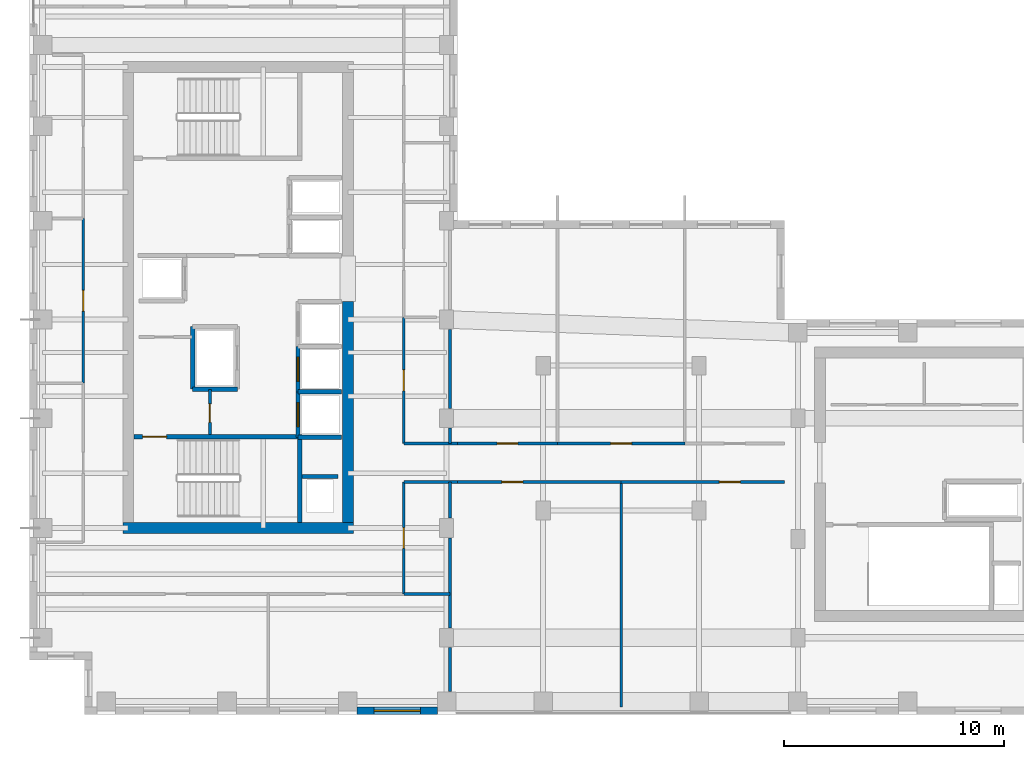
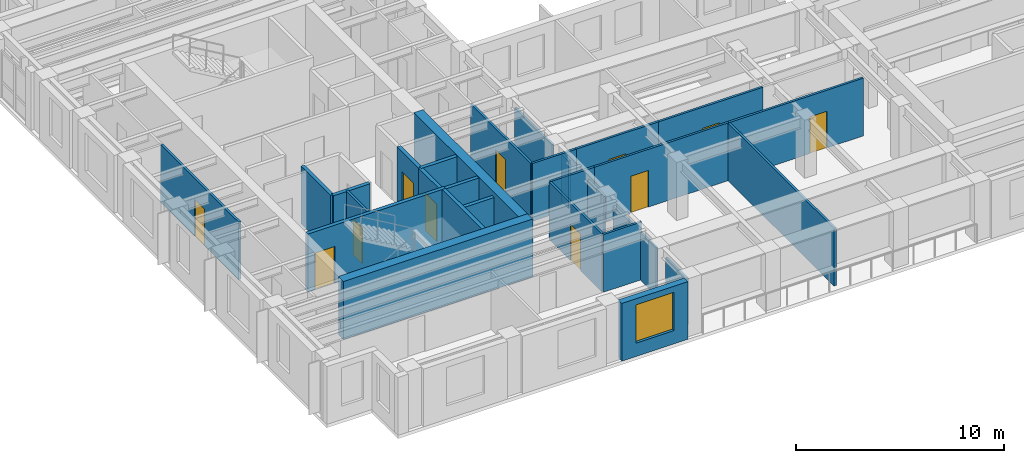
# One storey, part 6 of 13: 29 walls, 11 doors, 1 window, 12 openings.
"""IFC4 building model written with IfcOpenShell, lengths in metres."""

from ifc_helpers import new_model, si_unit, direction, frame, frame_2d, origin, place, context, subcontext, project, spatial, rectangle, extrude, source, transform, mapped, material, layer, layer_set, type_object, element, fill, save


model = new_model("IFC4")

# Units and contexts
model_context = context("Model", 3, precision=1e-05, world=origin(), true_north=direction((0.0, 1.0)))
body_context = subcontext(model_context, "Body", "Model", "MODEL_VIEW")
ifc_project = project(units=[si_unit("LENGTHUNIT", "METRE"), si_unit("AREAUNIT", "SQUARE_METRE"), si_unit("VOLUMEUNIT", "CUBIC_METRE"), si_unit("PLANEANGLEUNIT", "RADIAN"), si_unit("MASSUNIT", "GRAM", prefix="KILO")], contexts=[model_context])

# Site, building, storey
site_placement = place(None, origin())
site = spatial("IfcSite", under=ifc_project, at=site_placement, CompositionType="ELEMENT")
building_placement = place(site_placement, origin())
building = spatial("IfcBuilding", under=site, at=building_placement, Name="Kharzan Plaza Tower", CompositionType="ELEMENT")
storey_placement = place(building_placement, frame((0.0, 0.0, 259.199951171875)))
storey = spatial("IfcBuildingStorey", under=building, at=storey_placement, Name="L70", CompositionType="ELEMENT", Elevation=259.199951171875)

# Wall, opening, window
ifc_material_1 = material(Name="Concrete C40/50", Category="concrete")
ifc_layer_1 = layer(ifc_material_1, 0.35009765625)
ifc_layer_set_1 = layer_set([ifc_layer_1], Name="Concrete C40/50")
wall_type_1 = type_object("IfcWallType", Name="WL-EXT-MAS-Z4", PredefinedType="SOLIDWALL", material=ifc_layer_set_1)
wall_1_placement = place(storey_placement, frame((14.923095703125, 0.175048828125, 0.0), z_axis=(0.0, 0.0, 1.0), x_axis=(1.0, 0.0, 0.0)))
wall_1 = element("IfcWall", 1, at=wall_1_placement, inside=storey, type_object=wall_type_1, Name="L70 Masonry-Frame Exterior Wall 29", PredefinedType="SOLIDWALL", context=body_context, shape_type="SweptSolid", body=[
    extrude(rectangle(XDim=3.65380859375, YDim=0.35009765625, at=frame_2d((1.826904296875, 0.0))), origin(), (0.0, 0.0, 1.0), 3.385009765625),
])
opening_1_placement = place(wall_1_placement, frame((0.777099609375, 0.0, 0.780029296875)))
opening_1 = element("IfcOpeningElement", 2, at=opening_1_placement, cuts=wall_1, Name="Opening W6", PredefinedType="OPENING", context=body_context, shape_type="SweptSolid", body=[
    extrude(rectangle(XDim=2.10009765625, YDim=2.25, at=frame_2d((1.050048828125, 1.125))), frame((0.0, 0.18505859375, 0.0), z_axis=(0.0, -1.0, 0.0), x_axis=(1.0, 0.0, 0.0)), (0.0, 0.0, 1.0), 0.3701171875),
])
ifc_material_2 = material(Name="Low-E Double Glazing", Category="glass")
window_type = type_object("IfcWindowType", Name="WN-EXEC-2100x2250", PartitioningType="SINGLE_PANEL", PredefinedType="WINDOW", material=ifc_material_2)
shared_shape_1 = source(origin(), body_context, "Body", "SweptSolid", [
    extrude(rectangle(XDim=2.10009765625, YDim=2.25, at=frame_2d((1.050048828125, 1.125))), frame((0.0, 0.030029296875, 0.0), z_axis=(0.0, -1.0, 0.0), x_axis=(1.0, 0.0, 0.0)), (0.0, 0.0, 1.0), 0.06005859375),
])
window_placement = place(opening_1_placement, origin())
window = element("IfcWindow", 3, at=window_placement, inside=storey, type_object=window_type, Name="L70 Recessed Solar-Control Window 29-1", OverallHeight=2.25, OverallWidth=2.10009765625, PartitioningType="SINGLE_PANEL", PredefinedType="WINDOW", context=body_context, shape_type="MappedRepresentation", body=[
    mapped(shared_shape_1, transform((0.0, 0.0, 0.0), x_axis=(1.0, 0.0, 0.0), y_axis=(0.0, 1.0, 0.0), z_axis=(0.0, 0.0, 1.0))),
])
fill(opening_1, window)

# Wall, opening, door
ifc_material_3 = material(Name="Fire-Rated Gypsum Board Partition", Category="gypsum")
ifc_layer_2 = layer(ifc_material_3, 0.125)
ifc_layer_set_2 = layer_set([ifc_layer_2], Name="Fire-Rated Gypsum Board Partition")
wall_type_2 = type_object("IfcWallType", Name="WL-INT-PART-125", PredefinedType="PARTITIONING", material=ifc_layer_set_2)
wall_2_placement = place(storey_placement, frame((8.219970703125, 12.75, 0.0), z_axis=(0.0, 0.0, 1.0), x_axis=(0.0, 1.0, 0.0)))
wall_2 = element("IfcWall", 4, at=wall_2_placement, inside=storey, type_object=wall_type_2, Name="L70 Interior Partition CA-K1E", PredefinedType="PARTITIONING", context=body_context, shape_type="SweptSolid", body=[
    extrude(rectangle(XDim=2.070068359375, YDim=0.125, at=frame_2d((1.03515625, 0.0))), origin(), (0.0, 0.0, 1.0), 3.385009765625),
])
opening_2_placement = place(wall_2_placement, frame((0.56005859375, 0.0, 0.0)))
opening_2 = element("IfcOpeningElement", 5, at=opening_2_placement, cuts=wall_2, Name="Opening RD1", PredefinedType="OPENING", context=body_context, shape_type="SweptSolid", body=[
    extrude(rectangle(XDim=0.85009765625, YDim=2.10009765625, at=frame_2d((0.425048828125, 1.050048828125))), frame((0.0, 0.072509765625, 0.0), z_axis=(0.0, -1.0, 0.0), x_axis=(1.0, 0.0, 0.0)), (0.0, 0.0, 1.0), 0.14501953125),
])
ifc_material_4 = material(Name="Powder-Coated Fire-Rated Steel", Category="steel")
door_type_1 = type_object("IfcDoorType", Name="DR-RISER-900", OperationType="NOTDEFINED", PredefinedType="DOOR", material=ifc_material_4)
shared_shape_2 = source(origin(), body_context, "Body", "SweptSolid", [
    extrude(rectangle(XDim=0.85009765625, YDim=2.10009765625, at=frame_2d((0.425048828125, 1.050048828125))), frame((0.0, 0.02490234375, 0.0), z_axis=(0.0, -1.0, 0.0), x_axis=(1.0, 0.0, 0.0)), (0.0, 0.0, 1.0), 0.050048828125),
])
door_1_placement = place(opening_2_placement, origin())
door_1 = element("IfcDoor", 6, at=door_1_placement, inside=storey, type_object=door_type_1, Name="L70 Core Service Store Door", OperationType="SINGLE_SWING_RIGHT", OverallHeight=2.10009765625, OverallWidth=0.85009765625, PredefinedType="DOOR", context=body_context, shape_type="MappedRepresentation", body=[
    mapped(shared_shape_2, transform((0.0, 0.0, 0.0), x_axis=(1.0, 0.0, 0.0), y_axis=(0.0, 1.0, 0.0), z_axis=(0.0, 0.0, 1.0))),
])
fill(opening_2, door_1)

wall_3_placement = place(storey_placement, frame((17.050048828125, 12.35009765625, 0.0), z_axis=(0.0, 0.0, 1.0), x_axis=(0.0, 1.0, 0.0)))
wall_3 = element("IfcWall", 7, at=wall_3_placement, inside=storey, type_object=wall_type_2, Name="L70 Interior Partition SH-AEWN1", PredefinedType="PARTITIONING", context=body_context, shape_type="SweptSolid", body=[
    extrude(rectangle(XDim=5.75, YDim=0.125, at=frame_2d((2.875, 0.0))), origin(), (0.0, 0.0, 1.0), 3.385009765625),
])
opening_3_placement = place(wall_3_placement, frame((2.39990234375, 0.0, 0.0)))
opening_3 = element("IfcOpeningElement", 8, at=opening_3_placement, cuts=wall_3, Name="Opening OD1", PredefinedType="OPENING", context=body_context, shape_type="SweptSolid", body=[
    extrude(rectangle(XDim=0.949951171875, YDim=2.14990234375, at=frame_2d((0.47509765625, 1.074951171875))), frame((0.0, 0.072509765625, 0.0), z_axis=(0.0, -1.0, 0.0), x_axis=(1.0, 0.0, 0.0)), (0.0, 0.0, 1.0), 0.14501953125),
])
ifc_material_5 = material(Name="Acoustic Solid-Core Stained Oak", Category="timber")
door_type_2 = type_object("IfcDoorType", Name="DR-OFF-SINGLE", OperationType="NOTDEFINED", PredefinedType="DOOR", material=ifc_material_5)
shared_shape_3 = source(origin(), body_context, "Body", "SweptSolid", [
    extrude(rectangle(XDim=0.949951171875, YDim=2.14990234375, at=frame_2d((0.47509765625, 1.074951171875))), frame((0.0, 0.02490234375, 0.0), z_axis=(0.0, -1.0, 0.0), x_axis=(1.0, 0.0, 0.0)), (0.0, 0.0, 1.0), 0.050048828125),
])
door_2_placement = place(opening_3_placement, origin())
door_2 = element("IfcDoor", 9, at=door_2_placement, inside=storey, type_object=door_type_2, Name="L70 Slot Collaboration Door", OperationType="SINGLE_SWING_LEFT", OverallHeight=2.14990234375, OverallWidth=0.949951171875, PredefinedType="DOOR", context=body_context, shape_type="MappedRepresentation", body=[
    mapped(shared_shape_3, transform((0.0, 0.0, 0.0), x_axis=(1.0, 0.0, 0.0), y_axis=(0.0, 1.0, 0.0), z_axis=(0.0, 0.0, 1.0))),
])
fill(opening_3, door_2)

wall_4_placement = place(storey_placement, frame((17.050048828125, 5.5, 0.0), z_axis=(0.0, 0.0, 1.0), x_axis=(0.0, 1.0, 0.0)))
wall_4 = element("IfcWall", 10, at=wall_4_placement, inside=storey, type_object=wall_type_2, Name="L70 Interior Partition SH-AEWS", PredefinedType="PARTITIONING", context=body_context, shape_type="SweptSolid", body=[
    extrude(rectangle(XDim=5.10009765625, YDim=0.125, at=frame_2d((2.550048828125, 0.0))), origin(), (0.0, 0.0, 1.0), 3.385009765625),
])
opening_4_placement = place(wall_4_placement, frame((2.074951171875, 0.0, 0.0)))
opening_4 = element("IfcOpeningElement", 11, at=opening_4_placement, cuts=wall_4, Name="Opening OD1", PredefinedType="OPENING", context=body_context, shape_type="SweptSolid", body=[
    extrude(rectangle(XDim=0.949951171875, YDim=2.14990234375, at=frame_2d((0.47509765625, 1.074951171875))), frame((0.0, 0.072509765625, 0.0), z_axis=(0.0, -1.0, 0.0), x_axis=(1.0, 0.0, 0.0)), (0.0, 0.0, 1.0), 0.14501953125),
])
door_3_placement = place(opening_4_placement, origin())
door_3 = element("IfcDoor", 12, at=door_3_placement, inside=storey, type_object=door_type_2, Name="L70 Slot South Office Door", OperationType="SINGLE_SWING_RIGHT", OverallHeight=2.14990234375, OverallWidth=0.949951171875, PredefinedType="DOOR", context=body_context, shape_type="MappedRepresentation", body=[
    mapped(shared_shape_3, transform((0.0, 0.0, 0.0), x_axis=(1.0, 0.0, 0.0), y_axis=(0.0, 1.0, 0.0), z_axis=(0.0, 0.0, 1.0))),
])
fill(opening_4, door_3)

wall_5_placement = place(storey_placement, frame((24.050048828125, 12.35009765625, 0.0), z_axis=(0.0, 0.0, 1.0), x_axis=(1.0, 0.0, 0.0)))
wall_5 = element("IfcWall", 13, at=wall_5_placement, inside=storey, type_object=wall_type_2, Name="L70 Interior Partition SH-SPNM", PredefinedType="PARTITIONING", context=body_context, shape_type="SweptSolid", body=[
    extrude(rectangle(XDim=5.800048828125, YDim=0.125, at=frame_2d((2.89990234375, 0.0))), origin(), (0.0, 0.0, 1.0), 3.385009765625),
])
opening_5_placement = place(wall_5_placement, frame((2.425048828125, 0.0, 0.0)))
opening_5 = element("IfcOpeningElement", 14, at=opening_5_placement, cuts=wall_5, Name="Opening OD1", PredefinedType="OPENING", context=body_context, shape_type="SweptSolid", body=[
    extrude(rectangle(XDim=0.949951171875, YDim=2.14990234375, at=frame_2d((0.47509765625, 1.074951171875))), frame((0.0, 0.072509765625, 0.0), z_axis=(0.0, -1.0, 0.0), x_axis=(1.0, 0.0, 0.0)), (0.0, 0.0, 1.0), 0.14501953125),
])
door_4_placement = place(opening_5_placement, origin())
door_4 = element("IfcDoor", 15, at=door_4_placement, inside=storey, type_object=door_type_2, Name="L70 Reclaimed Spine Door", OperationType="SINGLE_SWING_LEFT", OverallHeight=2.14990234375, OverallWidth=0.949951171875, PredefinedType="DOOR", context=body_context, shape_type="MappedRepresentation", body=[
    mapped(shared_shape_3, transform((0.0, 0.0, 0.0), x_axis=(1.0, 0.0, 0.0), y_axis=(0.0, 1.0, 0.0), z_axis=(0.0, 0.0, 1.0))),
])
fill(opening_5, door_4)

wall_6_placement = place(storey_placement, frame((19.5, 12.35009765625, 0.0), z_axis=(0.0, 0.0, 1.0), x_axis=(1.0, 0.0, 0.0)))
wall_6 = element("IfcWall", 16, at=wall_6_placement, inside=storey, type_object=wall_type_2, Name="L70 Interior Partition SH-SPNW1", PredefinedType="PARTITIONING", context=body_context, shape_type="SweptSolid", body=[
    extrude(rectangle(XDim=4.550048828125, YDim=0.125, at=frame_2d((2.27490234375, 0.0))), origin(), (0.0, 0.0, 1.0), 3.385009765625),
])
opening_6_placement = place(wall_6_placement, frame((1.800048828125, 0.0, 0.0)))
opening_6 = element("IfcOpeningElement", 17, at=opening_6_placement, cuts=wall_6, Name="Opening OD1", PredefinedType="OPENING", context=body_context, shape_type="SweptSolid", body=[
    extrude(rectangle(XDim=0.949951171875, YDim=2.14990234375, at=frame_2d((0.47509765625, 1.074951171875))), frame((0.0, 0.072509765625, 0.0), z_axis=(0.0, -1.0, 0.0), x_axis=(1.0, 0.0, 0.0)), (0.0, 0.0, 1.0), 0.14501953125),
])
door_5_placement = place(opening_6_placement, origin())
door_5 = element("IfcDoor", 18, at=door_5_placement, inside=storey, type_object=door_type_2, Name="L70 North-West Spine Door", OperationType="SINGLE_SWING_LEFT", OverallHeight=2.14990234375, OverallWidth=0.949951171875, PredefinedType="DOOR", context=body_context, shape_type="MappedRepresentation", body=[
    mapped(shared_shape_3, transform((0.0, 0.0, 0.0), x_axis=(1.0, 0.0, 0.0), y_axis=(0.0, 1.0, 0.0), z_axis=(0.0, 0.0, 1.0))),
])
fill(opening_6, door_5)

wall_7_placement = place(storey_placement, frame((19.5, 10.60009765625, 0.0), z_axis=(0.0, 0.0, 1.0), x_axis=(1.0, 0.0, 0.0)))
wall_7 = element("IfcWall", 19, at=wall_7_placement, inside=storey, type_object=wall_type_2, Name="L70 Interior Partition SH-SPS1", PredefinedType="PARTITIONING", context=body_context, shape_type="SweptSolid", body=[
    extrude(rectangle(XDim=7.449951171875, YDim=0.125, at=frame_2d((3.72509765625, 0.0))), origin(), (0.0, 0.0, 1.0), 3.385009765625),
])
opening_7_placement = place(wall_7_placement, frame((2.02197265625, 0.0, 0.0)))
opening_7 = element("IfcOpeningElement", 20, at=opening_7_placement, cuts=wall_7, Name="Opening OD1", PredefinedType="OPENING", context=body_context, shape_type="SweptSolid", body=[
    extrude(rectangle(XDim=0.949951171875, YDim=2.14990234375, at=frame_2d((0.47509765625, 1.074951171875))), frame((0.0, 0.072509765625, 0.0), z_axis=(0.0, -1.0, 0.0), x_axis=(1.0, 0.0, 0.0)), (0.0, 0.0, 1.0), 0.14501953125),
])
door_6_placement = place(opening_7_placement, origin())
door_6 = element("IfcDoor", 21, at=door_6_placement, inside=storey, type_object=door_type_2, Name="L70 South Spine West Door", OperationType="SINGLE_SWING_LEFT", OverallHeight=2.14990234375, OverallWidth=0.949951171875, PredefinedType="DOOR", context=body_context, shape_type="MappedRepresentation", body=[
    mapped(shared_shape_3, transform((0.0, 0.0, 0.0), x_axis=(1.0, 0.0, 0.0), y_axis=(0.0, 1.0, 0.0), z_axis=(0.0, 0.0, 1.0))),
])
fill(opening_7, door_6)

wall_8_placement = place(storey_placement, frame((26.949951171875, 10.60009765625, 0.0), z_axis=(0.0, 0.0, 1.0), x_axis=(1.0, 0.0, 0.0)))
wall_8 = element("IfcWall", 22, at=wall_8_placement, inside=storey, type_object=wall_type_2, Name="L70 Interior Partition SH-SPS2", PredefinedType="PARTITIONING", context=body_context, shape_type="SweptSolid", body=[
    extrude(rectangle(XDim=7.449951171875, YDim=0.125, at=frame_2d((3.72509765625, 0.0))), origin(), (0.0, 0.0, 1.0), 3.385009765625),
])
opening_8_placement = place(wall_8_placement, frame((4.47802734375, 0.0, 0.0)))
opening_8 = element("IfcOpeningElement", 23, at=opening_8_placement, cuts=wall_8, Name="Opening OD1", PredefinedType="OPENING", context=body_context, shape_type="SweptSolid", body=[
    extrude(rectangle(XDim=0.949951171875, YDim=2.14990234375, at=frame_2d((0.47509765625, 1.074951171875))), frame((0.0, 0.072509765625, 0.0), z_axis=(0.0, -1.0, 0.0), x_axis=(1.0, 0.0, 0.0)), (0.0, 0.0, 1.0), 0.14501953125),
])
door_7_placement = place(opening_8_placement, origin())
door_7 = element("IfcDoor", 24, at=door_7_placement, inside=storey, type_object=door_type_2, Name="L70 South Spine East Door", OperationType="SINGLE_SWING_RIGHT", OverallHeight=2.14990234375, OverallWidth=0.949951171875, PredefinedType="DOOR", context=body_context, shape_type="MappedRepresentation", body=[
    mapped(shared_shape_3, transform((0.0, 0.0, 0.0), x_axis=(1.0, 0.0, 0.0), y_axis=(0.0, 1.0, 0.0), z_axis=(0.0, 0.0, 1.0))),
])
fill(opening_8, door_7)

wall_9_placement = place(storey_placement, frame((2.449951171875, 15.10009765625, 0.0), z_axis=(0.0, 0.0, 1.0), x_axis=(0.0, 1.0, 0.0)))
wall_9 = element("IfcWall", 25, at=wall_9_placement, inside=storey, type_object=wall_type_2, Name="L70 Interior Partition SH-WW-2", PredefinedType="PARTITIONING", context=body_context, shape_type="SweptSolid", body=[
    extrude(rectangle(XDim=7.5, YDim=0.125, at=frame_2d((3.75, 0.0))), origin(), (0.0, 0.0, 1.0), 3.385009765625),
])
opening_9_placement = place(wall_9_placement, frame((3.27490234375, 0.0, 0.0)))
opening_9 = element("IfcOpeningElement", 26, at=opening_9_placement, cuts=wall_9, Name="Opening OD1", PredefinedType="OPENING", context=body_context, shape_type="SweptSolid", body=[
    extrude(rectangle(XDim=0.949951171875, YDim=2.14990234375, at=frame_2d((0.47509765625, 1.074951171875))), frame((0.0, 0.072509765625, 0.0), z_axis=(0.0, -1.0, 0.0), x_axis=(1.0, 0.0, 0.0)), (0.0, 0.0, 1.0), 0.14501953125),
])
door_8_placement = place(opening_9_placement, origin())
door_8 = element("IfcDoor", 27, at=door_8_placement, inside=storey, type_object=door_type_2, Name="L70 Client Briefing Room Door", OperationType="SINGLE_SWING_LEFT", OverallHeight=2.14990234375, OverallWidth=0.949951171875, PredefinedType="DOOR", context=body_context, shape_type="MappedRepresentation", body=[
    mapped(shared_shape_3, transform((0.0, 0.0, 0.0), x_axis=(1.0, 0.0, 0.0), y_axis=(0.0, 1.0, 0.0), z_axis=(0.0, 0.0, 1.0))),
])
fill(opening_9, door_8)

ifc_layer_3 = layer(ifc_material_1, 0.199951171875)
ifc_layer_set_3 = layer_set([ifc_layer_3], Name="Concrete C40/50")
wall_type_3 = type_object("IfcWallType", Name="WL-INT-SHAFT-200", PredefinedType="PARTITIONING", material=ifc_layer_set_3)
wall_10_placement = place(storey_placement, frame((12.22998046875, 12.6298828125, 0.0), z_axis=(0.0, 0.0, 1.0), x_axis=(0.0, 1.0, 0.0)))
wall_10 = element("IfcWall", 28, at=wall_10_placement, inside=storey, type_object=wall_type_3, Name="L70 Interior Partition SHF-PL-H1-W", PredefinedType="PARTITIONING", context=body_context, shape_type="SweptSolid", body=[
    extrude(rectangle(XDim=2.070068359375, YDim=0.199951171875, at=frame_2d((1.03515625, 0.0))), origin(), (0.0, 0.0, 1.0), 3.385009765625),
])
opening_10_placement = place(wall_10_placement, frame((0.485107421875, 0.0, 0.0)))
opening_10 = element("IfcOpeningElement", 29, at=opening_10_placement, cuts=wall_10, Name="Opening LD", PredefinedType="OPENING", context=body_context, shape_type="SweptSolid", body=[
    extrude(rectangle(XDim=1.10009765625, YDim=2.199951171875, at=frame_2d((0.550048828125, 1.10009765625))), frame((0.0, 0.10986328125, 0.0), z_axis=(0.0, -1.0, 0.0), x_axis=(1.0, 0.0, 0.0)), (0.0, 0.0, 1.0), 0.219970703125),
])
ifc_material_6 = material(Name="Brushed Stainless Steel", Category="steel")
door_type_3 = type_object("IfcDoorType", Name="DR-LIFT-SLIDE", OperationType="SLIDING_TO_LEFT", PredefinedType="DOOR", material=ifc_material_6)
shared_shape_4 = source(origin(), body_context, "Body", "SweptSolid", [
    extrude(rectangle(XDim=1.10009765625, YDim=2.199951171875, at=frame_2d((0.550048828125, 1.10009765625))), frame((0.0, 0.02490234375, 0.0), z_axis=(0.0, -1.0, 0.0), x_axis=(1.0, 0.0, 0.0)), (0.0, 0.0, 1.0), 0.050048828125),
])
door_9_placement = place(opening_10_placement, origin())
door_9 = element("IfcDoor", 30, at=door_9_placement, inside=storey, type_object=door_type_3, Name="L70 High-Rise Passenger Lift PL-H1 Sliding Landing Door", OperationType="SLIDING_TO_LEFT", OverallHeight=2.199951171875, OverallWidth=1.10009765625, PredefinedType="DOOR", context=body_context, shape_type="MappedRepresentation", body=[
    mapped(shared_shape_4, transform((0.0, 0.0, 0.0), x_axis=(1.0, 0.0, 0.0), y_axis=(0.0, 1.0, 0.0), z_axis=(0.0, 0.0, 1.0))),
])
fill(opening_10, door_9)

wall_11_placement = place(storey_placement, frame((12.22998046875, 14.699951171875, 0.0), z_axis=(0.0, 0.0, 1.0), x_axis=(0.0, 1.0, 0.0)))
wall_11 = element("IfcWall", 31, at=wall_11_placement, inside=storey, type_object=wall_type_3, Name="L70 Interior Partition SHF-PL-H2-W", PredefinedType="PARTITIONING", context=body_context, shape_type="SweptSolid", body=[
    extrude(rectangle(XDim=2.070068359375, YDim=0.199951171875, at=frame_2d((1.03515625, 0.0))), origin(), (0.0, 0.0, 1.0), 3.385009765625),
])
opening_11_placement = place(wall_11_placement, frame((0.485107421875, 0.0, 0.0)))
opening_11 = element("IfcOpeningElement", 32, at=opening_11_placement, cuts=wall_11, Name="Opening LD", PredefinedType="OPENING", context=body_context, shape_type="SweptSolid", body=[
    extrude(rectangle(XDim=1.10009765625, YDim=2.199951171875, at=frame_2d((0.550048828125, 1.10009765625))), frame((0.0, 0.10986328125, 0.0), z_axis=(0.0, -1.0, 0.0), x_axis=(1.0, 0.0, 0.0)), (0.0, 0.0, 1.0), 0.219970703125),
])
door_10_placement = place(opening_11_placement, origin())
door_10 = element("IfcDoor", 33, at=door_10_placement, inside=storey, type_object=door_type_3, Name="L70 High-Rise Passenger Lift PL-H2 Sliding Landing Door", OperationType="SLIDING_TO_LEFT", OverallHeight=2.199951171875, OverallWidth=1.10009765625, PredefinedType="DOOR", context=body_context, shape_type="MappedRepresentation", body=[
    mapped(shared_shape_4, transform((0.0, 0.0, 0.0), x_axis=(1.0, 0.0, 0.0), y_axis=(0.0, 1.0, 0.0), z_axis=(0.0, 0.0, 1.0))),
])
fill(opening_11, door_10)

ifc_material_7 = material(Name="Concrete C50/60", Category="concrete")
ifc_layer_4 = layer(ifc_material_7, 0.199951171875)
ifc_layer_set_4 = layer_set([ifc_layer_4], Name="Concrete C50/60")
wall_type_4 = type_object("IfcWallType", Name="WL-SHAFT-RC200", PredefinedType="SHEAR", material=ifc_layer_set_4)
wall_12_placement = place(storey_placement, frame((4.751953125, 12.655029296875, 0.0), z_axis=(0.0, 0.0, 1.0), x_axis=(1.0, 0.0, 0.0)))
wall_12 = element("IfcWall", 34, at=wall_12_placement, inside=storey, type_object=wall_type_4, Name="L70 Stair ST-1 North RC Shaft Wall", PredefinedType="SHEAR", context=body_context, shape_type="SweptSolid", body=[
    extrude(rectangle(XDim=7.653076171875, YDim=0.199951171875, at=frame_2d((3.82666015625, 0.0))), origin(), (0.0, 0.0, 1.0), 3.400146484375),
])
opening_12_placement = place(wall_12_placement, frame((0.39990234375, 0.0, 0.0)))
opening_12 = element("IfcOpeningElement", 35, at=opening_12_placement, cuts=wall_12, Name="Opening SD1", PredefinedType="OPENING", context=body_context, shape_type="SweptSolid", body=[
    extrude(rectangle(XDim=1.10009765625, YDim=2.14990234375, at=frame_2d((0.550048828125, 1.074951171875))), frame((0.0, 0.10986328125, 0.0), z_axis=(0.0, -1.0, 0.0), x_axis=(1.0, 0.0, 0.0)), (0.0, 0.0, 1.0), 0.219970703125),
])
ifc_material_8 = material(Name="Fire-Rated Hollow Galvanized Steel", Category="steel")
door_type_4 = type_object("IfcDoorType", Name="DR-STAIR-FD120", OperationType="NOTDEFINED", PredefinedType="DOOR", material=ifc_material_8)
shared_shape_5 = source(origin(), body_context, "Body", "SweptSolid", [
    extrude(rectangle(XDim=1.10009765625, YDim=2.14990234375, at=frame_2d((0.550048828125, 1.074951171875))), frame((0.0, 0.02490234375, 0.0), z_axis=(0.0, -1.0, 0.0), x_axis=(1.0, 0.0, 0.0)), (0.0, 0.0, 1.0), 0.050048828125),
])
door_11_placement = place(opening_12_placement, origin())
door_11 = element("IfcDoor", 36, at=door_11_placement, inside=storey, type_object=door_type_4, Name="L70 Stair ST-1 Fire Exit Door", OperationType="SINGLE_SWING_RIGHT", OverallHeight=2.14990234375, OverallWidth=1.10009765625, PredefinedType="DOOR", context=body_context, shape_type="MappedRepresentation", body=[
    mapped(shared_shape_5, transform((0.0, 0.0, 0.0), x_axis=(1.0, 0.0, 0.0), y_axis=(0.0, 1.0, 0.0), z_axis=(0.0, 0.0, 1.0))),
])
fill(opening_12, door_11)

# Walls
shared_shape_6 = source(origin(), body_context, "Body", "SweptSolid", [
    extrude(rectangle(XDim=2.099853515625, YDim=0.125, at=frame_2d((1.0498046875, 0.0))), origin(), (0.0, 0.0, 1.0), 3.385009765625),
])
wall_13_placement = place(storey_placement, frame((17.050048828125, 5.5, 0.0), z_axis=(0.0, 0.0, 1.0), x_axis=(1.0, 0.0, 0.0)))
element("IfcWall", 37, at=wall_13_placement, inside=storey, type_object=wall_type_2, Name="L70 Interior Partition SH-SSE-2", PredefinedType="PARTITIONING", context=body_context, shape_type="MappedRepresentation", body=[
    mapped(shared_shape_6, transform((0.0, 0.0, 0.0), x_axis=(1.0, 0.0, 0.0), y_axis=(0.0, 1.0, 0.0), z_axis=(0.0, 0.0, 1.0))),
])
shared_shape_7 = source(origin(), body_context, "Body", "SweptSolid", [
    extrude(rectangle(XDim=2.449951171875, YDim=0.125, at=frame_2d((1.22509765625, 0.0))), origin(), (0.0, 0.0, 1.0), 3.385009765625),
])
for number, where, z_axis, x_axis, name in (
    (38, (17.050048828125, 12.35009765625, 0.0), (0.0, 0.0, 1.0), (1.0, 0.0, 0.0), "L70 Interior Partition SH-SPNW0"),
    (39, (17.050048828125, 10.60009765625, 0.0), (0.0, 0.0, 1.0), (1.0, 0.0, 0.0), "L70 Interior Partition SH-SPS0"),
):
    element("IfcWall", number, at=place(storey_placement, frame(where, z_axis=z_axis, x_axis=x_axis)), inside=storey, type_object=wall_type_2, Name=name, PredefinedType="PARTITIONING", context=body_context, shape_type="MappedRepresentation", body=[
        mapped(shared_shape_7, transform((0.0, 0.0, 0.0), x_axis=(1.0, 0.0, 0.0), y_axis=(0.0, 1.0, 0.0), z_axis=(0.0, 0.0, 1.0))),
    ])
shared_shape_8 = source(origin(), body_context, "Body", "SweptSolid", [
    extrude(rectangle(XDim=1.630126953125, YDim=0.199951171875, at=frame_2d((0.81494140625, 0.0))), origin(), (0.0, 0.0, 1.0), 3.385009765625),
])
wall_14_placement = place(storey_placement, frame((12.419921875, 10.85009765625, 0.0), z_axis=(0.0, 0.0, 1.0), x_axis=(1.0, 0.0, 0.0)))
element("IfcWall", 40, at=wall_14_placement, inside=storey, type_object=wall_type_3, Name="L70 Interior Partition CA-RSRA-N", PredefinedType="PARTITIONING", context=body_context, shape_type="MappedRepresentation", body=[
    mapped(shared_shape_8, transform((0.0, 0.0, 0.0), x_axis=(1.0, 0.0, 0.0), y_axis=(0.0, 1.0, 0.0), z_axis=(0.0, 0.0, 1.0))),
])
shared_shape_9 = source(origin(), body_context, "Body", "SweptSolid", [
    extrude(rectangle(XDim=2.0400390625, YDim=0.199951171875, at=frame_2d((1.02001953125, 0.0))), origin(), (0.0, 0.0, 1.0), 3.385009765625),
])
wall_15_placement = place(storey_placement, frame((7.429931640625, 14.830078125, 0.0), z_axis=(0.0, 0.0, 1.0), x_axis=(1.0, 0.0, 0.0)))
element("IfcWall", 41, at=wall_15_placement, inside=storey, type_object=wall_type_3, Name="L70 Interior Partition SHF-SVL-1-S", PredefinedType="PARTITIONING", context=body_context, shape_type="MappedRepresentation", body=[
    mapped(shared_shape_9, transform((0.0, 0.0, 0.0), x_axis=(1.0, 0.0, 0.0), y_axis=(0.0, 1.0, 0.0), z_axis=(0.0, 0.0, 1.0))),
])
shared_shape_10 = source(origin(), body_context, "Body", "SweptSolid", [
    extrude(rectangle(XDim=2.83984375, YDim=0.199951171875, at=frame_2d((1.419921875, 0.0))), origin(), (0.0, 0.0, 1.0), 3.385009765625),
])
wall_16_placement = place(storey_placement, frame((7.429931640625, 14.830078125, 0.0), z_axis=(0.0, 0.0, 1.0), x_axis=(0.0, 1.0, 0.0)))
element("IfcWall", 42, at=wall_16_placement, inside=storey, type_object=wall_type_3, Name="L70 Interior Partition SHF-SVL-1-W", PredefinedType="PARTITIONING", context=body_context, shape_type="MappedRepresentation", body=[
    mapped(shared_shape_10, transform((0.0, 0.0, 0.0), x_axis=(1.0, 0.0, 0.0), y_axis=(0.0, 1.0, 0.0), z_axis=(0.0, 0.0, 1.0))),
])
ifc_layer_5 = layer(ifc_material_7, 0.5)
ifc_layer_set_5 = layer_set([ifc_layer_5], Name="Concrete C50/60")
wall_type_5 = type_object("IfcWallType", Name="WL-CORE-500", PredefinedType="SHEAR", material=ifc_layer_set_5)
shared_shape_11 = source(origin(), body_context, "Body", "SweptSolid", [
    extrude(rectangle(XDim=10.070068359375, YDim=0.5, at=frame_2d((5.03515625, 0.0))), origin(), (0.0, 0.0, 1.0), 3.400146484375),
])
wall_17_placement = place(storey_placement, frame((14.5, 8.75, 0.0), z_axis=(0.0, 0.0, 1.0), x_axis=(0.0, 1.0, 0.0)))
element("IfcWall", 43, at=wall_17_placement, inside=storey, type_object=wall_type_5, Name="L70 CORE-A east shear pier 1", PredefinedType="SHEAR", context=body_context, shape_type="MappedRepresentation", body=[
    mapped(shared_shape_11, transform((0.0, 0.0, 0.0), x_axis=(1.0, 0.0, 0.0), y_axis=(0.0, 1.0, 0.0), z_axis=(0.0, 0.0, 1.0))),
])
shared_shape_12 = source(origin(), body_context, "Body", "SweptSolid", [
    extrude(rectangle(XDim=10.5, YDim=0.5, at=frame_2d((5.25, 0.0))), origin(), (0.0, 0.0, 1.0), 3.400146484375),
])
wall_18_placement = place(storey_placement, frame((4.25, 8.5, 0.0), z_axis=(0.0, 0.0, 1.0), x_axis=(1.0, 0.0, 0.0)))
element("IfcWall", 44, at=wall_18_placement, inside=storey, type_object=wall_type_5, Name="L70 CORE-A south RC shear wall", PredefinedType="SHEAR", context=body_context, shape_type="MappedRepresentation", body=[
    mapped(shared_shape_12, transform((0.0, 0.0, 0.0), x_axis=(1.0, 0.0, 0.0), y_axis=(0.0, 1.0, 0.0), z_axis=(0.0, 0.0, 1.0))),
])
shared_shape_13 = source(origin(), body_context, "Body", "SweptSolid", [
    extrude(rectangle(XDim=1.989990234375, YDim=0.199951171875, at=frame_2d((0.9951171875, 0.0))), origin(), (0.0, 0.0, 1.0), 3.385009765625),
])
for number, where, z_axis, x_axis, name in (
    (45, (12.22998046875, 14.699951171875, 0.0), (0.0, 0.0, 1.0), (1.0, 0.0, 0.0), "L70 Interior Partition SHF-PL-H1-N"),
    (46, (12.22998046875, 12.6298828125, 0.0), (0.0, 0.0, 1.0), (1.0, 0.0, 0.0), "L70 Interior Partition SHF-PL-H1-S"),
):
    element("IfcWall", number, at=place(storey_placement, frame(where, z_axis=z_axis, x_axis=x_axis)), inside=storey, type_object=wall_type_3, Name=name, PredefinedType="PARTITIONING", context=body_context, shape_type="MappedRepresentation", body=[
        mapped(shared_shape_13, transform((0.0, 0.0, 0.0), x_axis=(1.0, 0.0, 0.0), y_axis=(0.0, 1.0, 0.0), z_axis=(0.0, 0.0, 1.0))),
    ])
shared_shape_14 = source(origin(), body_context, "Body", "SweptSolid", [
    extrude(rectangle(XDim=3.802978515625, YDim=0.199951171875, at=frame_2d((1.9013671875, 0.0))), origin(), (0.0, 0.0, 1.0), 3.400146484375),
])
wall_19_placement = place(storey_placement, frame((12.304931640625, 8.751953125, 0.0), z_axis=(0.0, 0.0, 1.0), x_axis=(0.0, 1.0, 0.0)))
element("IfcWall", 47, at=wall_19_placement, inside=storey, type_object=wall_type_4, Name="L70 Stair ST-1 East RC Shaft Wall", PredefinedType="SHEAR", context=body_context, shape_type="MappedRepresentation", body=[
    mapped(shared_shape_14, transform((0.0, 0.0, 0.0), x_axis=(1.0, 0.0, 0.0), y_axis=(0.0, 1.0, 0.0), z_axis=(0.0, 0.0, 1.0))),
])
shared_shape_15 = source(origin(), body_context, "Body", "SweptSolid", [
    extrude(rectangle(XDim=0.699951171875, YDim=0.125, at=frame_2d((0.35009765625, 0.0))), origin(), (0.0, 0.0, 1.0), 2.77294921875),
])
wall_20_placement = place(storey_placement, frame((19.14990234375, 12.35009765625, 0.0), z_axis=(0.0, 0.0, 1.0), x_axis=(0.0, 1.0, 0.0)))
element("IfcWall", 48, at=wall_20_placement, inside=storey, type_object=wall_type_2, Name="L70 Interior Partition SH-AEN-DIV-S1", PredefinedType="PARTITIONING", context=body_context, shape_type="MappedRepresentation", body=[
    mapped(shared_shape_15, transform((0.0, 0.0, 0.0), x_axis=(1.0, 0.0, 0.0), y_axis=(0.0, 1.0, 0.0), z_axis=(0.0, 0.0, 1.0))),
])
shared_shape_16 = source(origin(), body_context, "Body", "SweptSolid", [
    extrude(rectangle(XDim=3.60009765625, YDim=0.125, at=frame_2d((1.800048828125, 0.0))), origin(), (0.0, 0.0, 1.0), 2.77294921875),
])
wall_21_placement = place(storey_placement, frame((19.14990234375, 13.949951171875, 0.0), z_axis=(0.0, 0.0, 1.0), x_axis=(0.0, 1.0, 0.0)))
element("IfcWall", 49, at=wall_21_placement, inside=storey, type_object=wall_type_2, Name="L70 Interior Partition SH-AEN-DIV-S2", PredefinedType="PARTITIONING", context=body_context, shape_type="MappedRepresentation", body=[
    mapped(shared_shape_16, transform((0.0, 0.0, 0.0), x_axis=(1.0, 0.0, 0.0), y_axis=(0.0, 1.0, 0.0), z_axis=(0.0, 0.0, 1.0))),
])
shared_shape_17 = source(origin(), body_context, "Body", "SweptSolid", [
    extrude(rectangle(XDim=1.650146484375, YDim=0.125, at=frame_2d((0.8251953125, 0.0))), origin(), (0.0, 0.0, 1.0), 2.77294921875),
])
wall_22_placement = place(storey_placement, frame((19.14990234375, 8.949951171875, 0.0), z_axis=(0.0, 0.0, 1.0), x_axis=(0.0, 1.0, 0.0)))
element("IfcWall", 50, at=wall_22_placement, inside=storey, type_object=wall_type_2, Name="L70 Interior Partition SH-AESP-DIV-S3", PredefinedType="PARTITIONING", context=body_context, shape_type="MappedRepresentation", body=[
    mapped(shared_shape_17, transform((0.0, 0.0, 0.0), x_axis=(1.0, 0.0, 0.0), y_axis=(0.0, 1.0, 0.0), z_axis=(0.0, 0.0, 1.0))),
])
shared_shape_18 = source(origin(), body_context, "Body", "SweptSolid", [
    extrude(rectangle(XDim=10.25, YDim=0.125, at=frame_2d((5.125, 0.0))), origin(), (0.0, 0.0, 1.0), 3.385009765625),
])
wall_23_placement = place(storey_placement, frame((26.949951171875, 0.35009765625, 0.0), z_axis=(0.0, 0.0, 1.0), x_axis=(0.0, 1.0, 0.0)))
element("IfcWall", 51, at=wall_23_placement, inside=storey, type_object=wall_type_2, Name="L70 Interior Partition SH-SPSV1", PredefinedType="PARTITIONING", context=body_context, shape_type="MappedRepresentation", body=[
    mapped(shared_shape_18, transform((0.0, 0.0, 0.0), x_axis=(1.0, 0.0, 0.0), y_axis=(0.0, 1.0, 0.0), z_axis=(0.0, 0.0, 1.0))),
])
shared_shape_19 = source(origin(), body_context, "Body", "SweptSolid", [
    extrude(rectangle(XDim=2.0, YDim=0.125, at=frame_2d((1.0, 0.0))), origin(), (0.0, 0.0, 1.0), 2.77294921875),
])
wall_24_placement = place(storey_placement, frame((19.14990234375, 1.050048828125, 0.0), z_axis=(0.0, 0.0, 1.0), x_axis=(0.0, 1.0, 0.0)))
element("IfcWall", 52, at=wall_24_placement, inside=storey, type_object=wall_type_2, Name="L70 Interior Partition SH-AESP-DIV-S1", PredefinedType="PARTITIONING", context=body_context, shape_type="MappedRepresentation", body=[
    mapped(shared_shape_19, transform((0.0, 0.0, 0.0), x_axis=(1.0, 0.0, 0.0), y_axis=(0.0, 1.0, 0.0), z_axis=(0.0, 0.0, 1.0))),
])
shared_shape_20 = source(origin(), body_context, "Body", "SweptSolid", [
    extrude(rectangle(XDim=4.10009765625, YDim=0.125, at=frame_2d((2.050048828125, 0.0))), origin(), (0.0, 0.0, 1.0), 2.77294921875),
])
wall_25_placement = place(storey_placement, frame((19.14990234375, 3.949951171875, 0.0), z_axis=(0.0, 0.0, 1.0), x_axis=(0.0, 1.0, 0.0)))
element("IfcWall", 53, at=wall_25_placement, inside=storey, type_object=wall_type_2, Name="L70 Interior Partition SH-AESP-DIV-S2", PredefinedType="PARTITIONING", context=body_context, shape_type="MappedRepresentation", body=[
    mapped(shared_shape_20, transform((0.0, 0.0, 0.0), x_axis=(1.0, 0.0, 0.0), y_axis=(0.0, 1.0, 0.0), z_axis=(0.0, 0.0, 1.0))),
])

save(model, "model.ifc")
